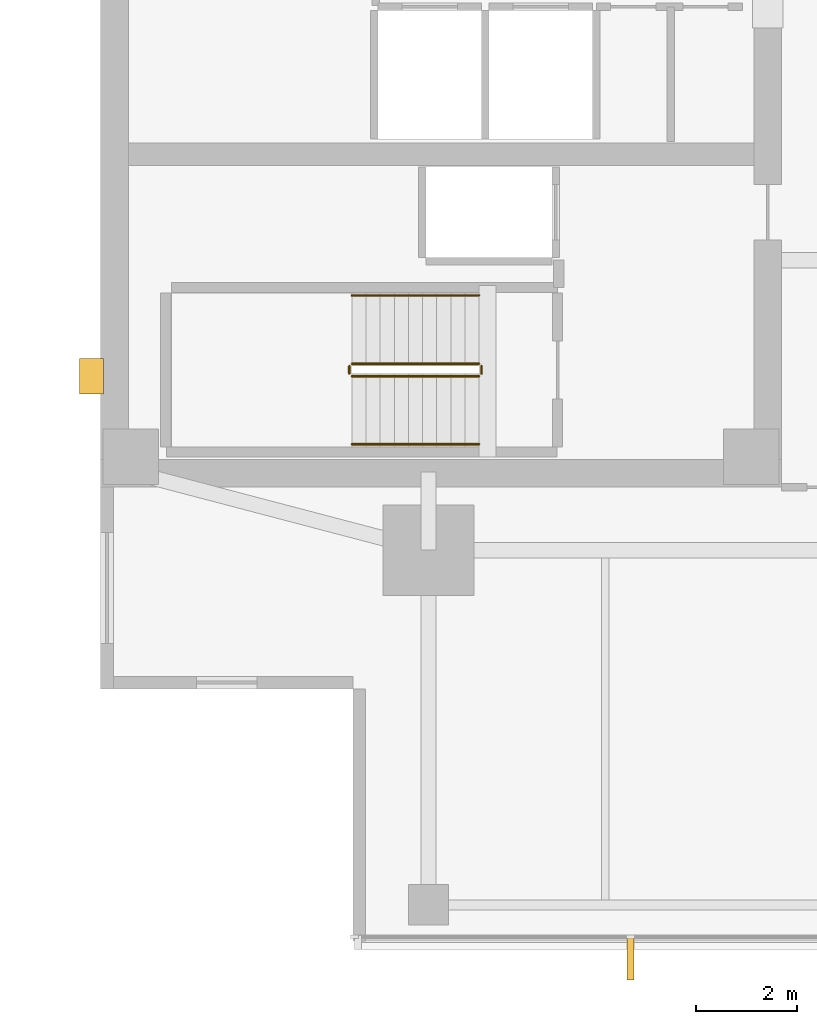
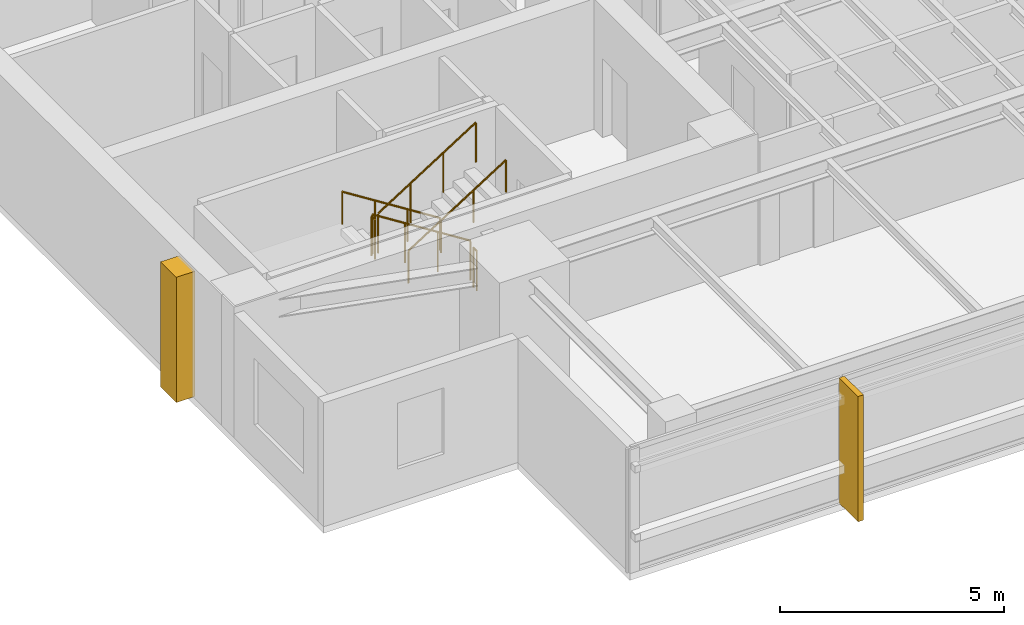
# One storey, part 11 of 14: 6 railings, 2 coverings.
"""IFC4 building model written with IfcOpenShell, lengths in metres."""

from ifc_helpers import new_model, si_unit, direction, frame, origin, origin_2d, place, context, subcontext, project, spatial, polyline, circle, outline, extrude, material, layer, layer_set, type_object, element, save


model = new_model("IFC4")

# Units and contexts
model_context = context("Model", 3, precision=1e-05, world=origin(), true_north=direction((0.0, 1.0)))
body_context = subcontext(model_context, "Body", "Model", "MODEL_VIEW")
ifc_project = project(units=[si_unit("LENGTHUNIT", "METRE"), si_unit("AREAUNIT", "SQUARE_METRE"), si_unit("VOLUMEUNIT", "CUBIC_METRE"), si_unit("PLANEANGLEUNIT", "RADIAN"), si_unit("MASSUNIT", "GRAM", prefix="KILO")], contexts=[model_context])

# Site, building, storey
site_placement = place(None, origin())
site = spatial("IfcSite", under=ifc_project, at=site_placement, CompositionType="ELEMENT")
building_placement = place(site_placement, origin())
building = spatial("IfcBuilding", under=site, at=building_placement, Name="Kinhvarn Gate Tower", CompositionType="ELEMENT")
storey_placement = place(building_placement, frame((0.0, 0.0, 223.550048828125)))
storey = spatial("IfcBuildingStorey", under=building, at=storey_placement, Name="L59", CompositionType="ELEMENT", Elevation=223.550048828125)

# Coverings
ifc_material_1 = material(Name="Fired architectural terracotta", Category="masonry")
ifc_layer_1 = layer(ifc_material_1, 0.139892578125)
ifc_layer_set_1 = layer_set([ifc_layer_1], Name="Fired architectural terracotta")
covering_type_1 = type_object("IfcCoveringType", Name="COV-FIN-850", PredefinedType="CLADDING", material=ifc_layer_set_1)
covering_1_placement = place(storey_placement, frame((0.0, 0.0, -0.02001953125)))
element("IfcCovering", 1, at=covering_1_placement, inside=storey, type_object=covering_type_1, Name="Vertical Terracotta Expressive Fin TFN-850 (L59)", PredefinedType="CLADDING", context=body_context, shape_type="SweptSolid", body=[
    extrude(outline(polyline([(14.929931640625, 5.080078125), (15.070068359375, 5.080078125), (15.070068359375, 4.22998046875), (14.929931640625, 4.22998046875), (14.929931640625, 5.080078125)])), origin(), (0.0, 0.0, 1.0), 3.409912109375),
])
ifc_material_2 = material(Name="Precast white architectural concrete C40/50", Category="concrete")
ifc_layer_2 = layer(ifc_material_2, 0.47998046875)
ifc_layer_set_2 = layer_set([ifc_layer_2], Name="Precast white architectural concrete C40/50")
covering_type_2 = type_object("IfcCoveringType", Name="COV-RIB-450", PredefinedType="CLADDING", material=ifc_layer_set_2)
covering_2_placement = place(storey_placement, frame((0.0, 0.0, -0.02001953125)))
element("IfcCovering", 2, at=covering_2_placement, inside=storey, type_object=covering_type_2, Name="West Core Sculptural Concrete Relief Rib CRB-450 (L59)", PredefinedType="CLADDING", context=body_context, shape_type="SweptSolid", body=[
    extrude(outline(polyline([(4.080078125, 15.85009765625), (4.56005859375, 15.85009765625), (4.56005859375, 16.550048828125), (4.080078125, 16.550048828125), (4.080078125, 15.85009765625)])), origin(), (0.0, 0.0, 1.0), 3.409912109375),
])

# Railings
ifc_material_3 = material(Name="Steel S355", Category="steel")
railing_type_1 = type_object("IfcRailingType", Name="RL-ST-GRD", PredefinedType="BALUSTRADE", material=ifc_material_3)
railing_1_placement = place(storey_placement, frame((12.0, 16.449951171875, 0.177490234375)))
element("IfcRailing", 3, at=railing_1_placement, inside=storey, type_object=railing_type_1, Name="L59 ST1 stair guard 1", PredefinedType="BALUSTRADE", context=body_context, shape_type="SweptSolid", body=[
    extrude(circle(Radius=0.02392578125, at=origin_2d()), frame((0.0, 0.0, 1.076171875), z_axis=(-0.84460694969, 0.0, 0.535386869969), x_axis=(0.0, -1.0, 0.0)), (0.0, 0.0, 1.0), 2.983642578125),
    extrude(circle(Radius=0.02099609375, at=origin_2d()), origin(), (0.0, 0.0, 1.0), 1.052001953125),
    extrude(circle(Radius=0.02099609375, at=origin_2d()), frame((-0.840087890625, 0.0, 0.532470703125)), (0.0, 0.0, 1.0), 1.052001953125),
    extrude(circle(Radius=0.02099609375, at=origin_2d()), frame((-1.679931640625, 0.0, 1.06494140625)), (0.0, 0.0, 1.0), 1.052001953125),
    extrude(circle(Radius=0.02099609375, at=origin_2d()), frame((-2.52001953125, 0.0, 1.597412109375)), (0.0, 0.0, 1.0), 1.052001953125),
])
railing_2_placement = place(storey_placement, frame((9.429931640625, 16.39990234375, 1.77490234375)))
element("IfcRailing", 4, at=railing_2_placement, inside=storey, type_object=railing_type_1, Name="L59 ST1 stair guard 2", PredefinedType="BALUSTRADE", context=body_context, shape_type="SweptSolid", body=[
    extrude(circle(Radius=0.02392578125, at=origin_2d()), frame((0.0, 0.0, 1.076171875), z_axis=(0.0, -1.0, 0.0), x_axis=(1.0, 0.0, 0.0)), (0.0, 0.0, 1.0), 0.14990234375),
    extrude(circle(Radius=0.02099609375, at=origin_2d()), origin(), (0.0, 0.0, 1.0), 1.052001953125),
    extrude(circle(Radius=0.02099609375, at=origin_2d()), frame((0.0, -0.14990234375, 0.0)), (0.0, 0.0, 1.0), 1.052001953125),
])
railing_3_placement = place(storey_placement, frame((9.47998046875, 16.199951171875, 1.952392578125)))
element("IfcRailing", 5, at=railing_3_placement, inside=storey, type_object=railing_type_1, Name="L59 ST1 stair guard 3", PredefinedType="BALUSTRADE", context=body_context, shape_type="SweptSolid", body=[
    extrude(circle(Radius=0.02392578125, at=origin_2d()), frame((0.0, 0.0, 1.076171875), z_axis=(0.84456994832, 0.0, 0.535445237532), x_axis=(0.0, 1.0, 0.0)), (0.0, 0.0, 1.0), 2.98388671875),
    extrude(circle(Radius=0.02099609375, at=origin_2d()), origin(), (0.0, 0.0, 1.0), 1.052001953125),
    extrude(circle(Radius=0.02099609375, at=origin_2d()), frame((0.840087890625, 0.0, 0.532470703125)), (0.0, 0.0, 1.0), 1.052001953125),
    extrude(circle(Radius=0.02099609375, at=origin_2d()), frame((1.679931640625, 0.0, 1.065185546875)), (0.0, 0.0, 1.0), 1.052001953125),
    extrude(circle(Radius=0.02099609375, at=origin_2d()), frame((2.52001953125, 0.0, 1.59765625)), (0.0, 0.0, 1.0), 1.052001953125),
])
railing_4_placement = place(storey_placement, frame((12.050048828125, 16.39990234375, 0.0)))
element("IfcRailing", 6, at=railing_4_placement, inside=storey, type_object=railing_type_1, Name="L59 ST1 stair guard 4", PredefinedType="BALUSTRADE", context=body_context, shape_type="SweptSolid", body=[
    extrude(circle(Radius=0.02392578125, at=origin_2d()), frame((0.0, 0.0, 1.076171875), z_axis=(0.0, -1.0, 0.0), x_axis=(1.0, 0.0, 0.0)), (0.0, 0.0, 1.0), 0.14990234375),
    extrude(circle(Radius=0.02099609375, at=origin_2d()), origin(), (0.0, 0.0, 1.0), 1.052001953125),
    extrude(circle(Radius=0.02099609375, at=origin_2d()), frame((0.0, -0.14990234375, 0.0)), (0.0, 0.0, 1.0), 1.052001953125),
])
railing_type_2 = type_object("IfcRailingType", Name="RL-ST-HND", PredefinedType="HANDRAIL", material=ifc_material_3)
railing_5_placement = place(storey_placement, frame((12.0, 17.800048828125, 0.177490234375)))
element("IfcRailing", 7, at=railing_5_placement, inside=storey, type_object=railing_type_2, Name="L59 ST1 stair handrail 1", PredefinedType="HANDRAIL", context=body_context, shape_type="SweptSolid", body=[
    extrude(circle(Radius=0.02392578125, at=origin_2d()), frame((0.0, 0.0, 0.8759765625), z_axis=(-0.84460694969, 0.0, 0.535386869969), x_axis=(0.0, -1.0, 0.0)), (0.0, 0.0, 1.0), 2.983642578125),
    extrude(circle(Radius=0.02099609375, at=origin_2d()), origin(), (0.0, 0.0, 1.0), 0.851806640625),
    extrude(circle(Radius=0.02099609375, at=origin_2d()), frame((-0.840087890625, 0.0, 0.532470703125)), (0.0, 0.0, 1.0), 0.851806640625),
    extrude(circle(Radius=0.02099609375, at=origin_2d()), frame((-1.679931640625, 0.0, 1.06494140625)), (0.0, 0.0, 1.0), 0.851806640625),
    extrude(circle(Radius=0.02099609375, at=origin_2d()), frame((-2.52001953125, 0.0, 1.597412109375)), (0.0, 0.0, 1.0), 0.851806640625),
])
railing_6_placement = place(storey_placement, frame((9.47998046875, 14.85009765625, 1.952392578125)))
element("IfcRailing", 8, at=railing_6_placement, inside=storey, type_object=railing_type_2, Name="L59 ST1 stair handrail 2", PredefinedType="HANDRAIL", context=body_context, shape_type="SweptSolid", body=[
    extrude(circle(Radius=0.02392578125, at=origin_2d()), frame((0.0, 0.0, 0.8759765625), z_axis=(0.84456994832, 0.0, 0.535445237532), x_axis=(0.0, 1.0, 0.0)), (0.0, 0.0, 1.0), 2.98388671875),
    extrude(circle(Radius=0.02099609375, at=origin_2d()), origin(), (0.0, 0.0, 1.0), 0.851806640625),
    extrude(circle(Radius=0.02099609375, at=origin_2d()), frame((0.840087890625, 0.0, 0.532470703125)), (0.0, 0.0, 1.0), 0.851806640625),
    extrude(circle(Radius=0.02099609375, at=origin_2d()), frame((1.679931640625, 0.0, 1.065185546875)), (0.0, 0.0, 1.0), 0.851806640625),
    extrude(circle(Radius=0.02099609375, at=origin_2d()), frame((2.52001953125, 0.0, 1.59765625)), (0.0, 0.0, 1.0), 0.851806640625),
])

save(model, "model.ifc")
